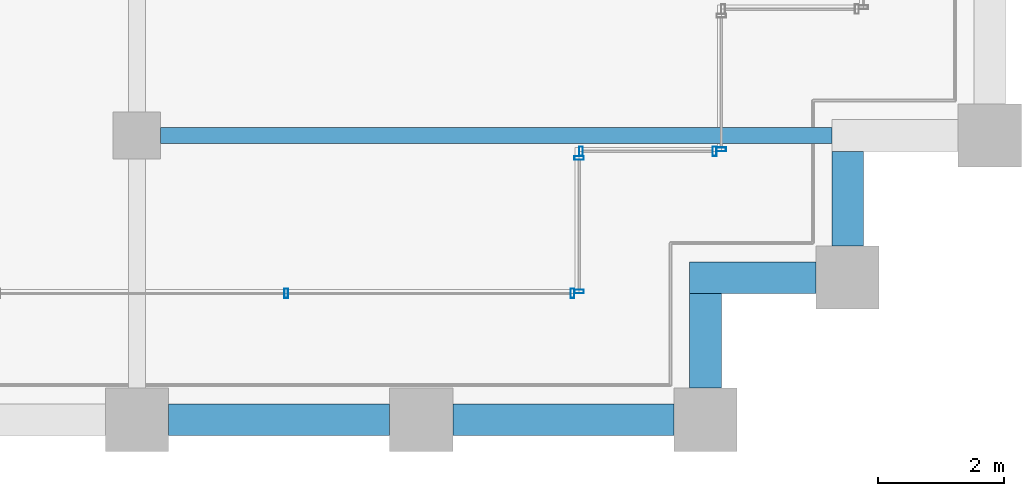
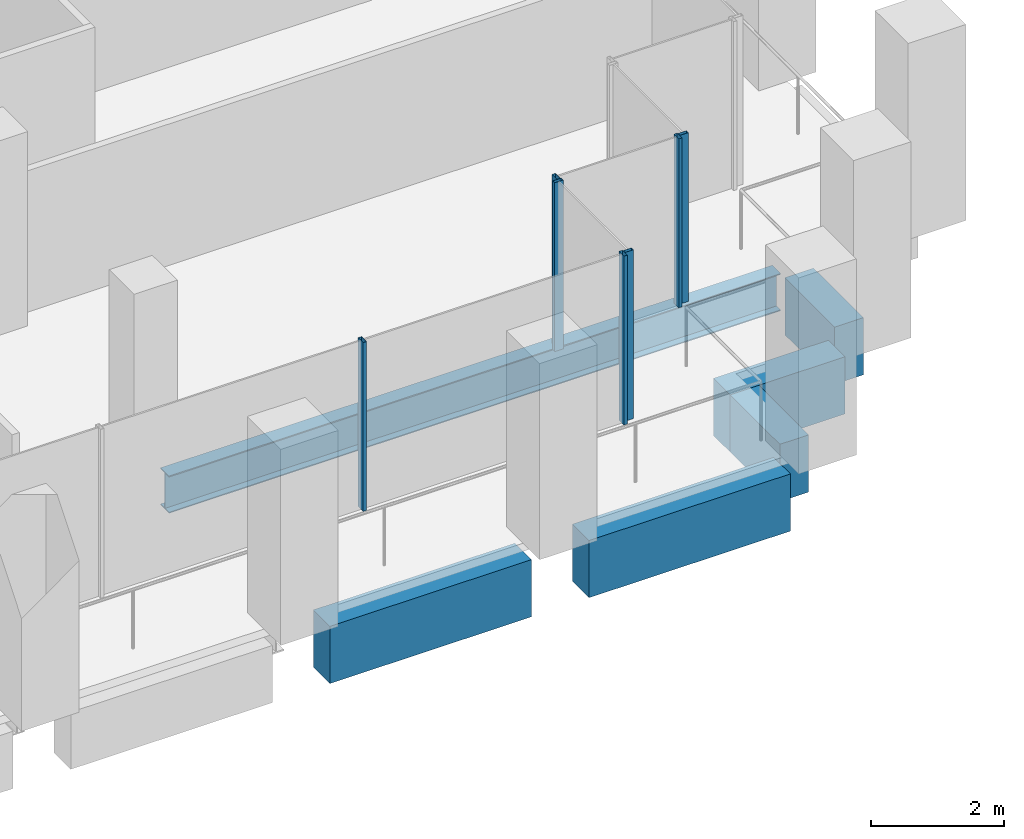
# One storey, part 12 of 46: 7 members, 6 beams, 4 elements without a shape of their own.
"""IFC4 building model written with IfcOpenShell, lengths in metres."""

from ifc_helpers import new_model, si_unit, direction, frame, origin, origin_2d, place, context, subcontext, project, spatial, rectangle, hollow_rectangle, i_section, extrude, material, material_profile, profile_set, type_object, element, aggregate, save


model = new_model("IFC4")

# Units and contexts
model_context = context("Model", 3, precision=1e-05, world=origin(), true_north=direction((0.0, 1.0)))
body_context = subcontext(model_context, "Body", "Model", "MODEL_VIEW")
ifc_project = project(units=[si_unit("LENGTHUNIT", "METRE"), si_unit("AREAUNIT", "SQUARE_METRE"), si_unit("VOLUMEUNIT", "CUBIC_METRE"), si_unit("PLANEANGLEUNIT", "RADIAN"), si_unit("MASSUNIT", "GRAM", prefix="KILO")], contexts=[model_context])

# Site, building, storey
site_placement = place(None, origin())
site = spatial("IfcSite", under=ifc_project, at=site_placement, CompositionType="ELEMENT")
building_placement = place(site_placement, origin())
building = spatial("IfcBuilding", under=site, at=building_placement, Name="Altepetl Exchange Towers", CompositionType="ELEMENT")
storey_placement = place(building_placement, frame((0.0, 0.0, 135.199951171875)))
storey = spatial("IfcBuildingStorey", under=building, at=storey_placement, Name="L33", CompositionType="ELEMENT", Elevation=135.199951171875)

# Beam
ifc_material_1 = material(Name="Steel S355", Category="steel")
ifc_material_profile_1 = material_profile(ifc_material_1, i_section(OverallWidth=0.25390625, OverallDepth=0.68408203125, WebThickness=0.012451171875, FlangeThickness=0.018798828125, at=origin_2d()), Name="W27X94")
ifc_profile_set_1 = profile_set([ifc_material_profile_1], Name="Steel S355")
beam_type_1 = type_object("IfcBeamType", Name="Floor beam W27X94", PredefinedType="BEAM", material=ifc_profile_set_1)
beam_1_placement = place(storey_placement, frame((58.875, 31.5, -0.491943359375), z_axis=(1.0, 0.0, 0.0), x_axis=(0.0, 1.0, 0.0)))
element("IfcBeam", 1, at=beam_1_placement, inside=storey, type_object=beam_type_1, Name="bm:A:L33:006", PredefinedType="BEAM", context=body_context, shape_type="SweptSolid", body=[
    extrude(i_section(OverallWidth=0.25390625, OverallDepth=0.68408203125, WebThickness=0.012451171875, FlangeThickness=0.018798828125, at=origin_2d()), origin(), (0.0, 0.0, 1.0), 10.625),
])

# Curtain wall, members
ifc_material_2 = material(Name="Aluminium 6063-T6 glazing", Category="aluminium")
curtain_wall_type = type_object("IfcCurtainWallType", Name="Loggia glazing system", PredefinedType="NOTDEFINED", material=ifc_material_2)
curtain_wall_1_placement = place(storey_placement, origin())
curtain_wall_1 = element("IfcCurtainWall", 2, at=curtain_wall_1_placement, inside=storey, type_object=curtain_wall_type, Name="CW1 run", PredefinedType="NOTDEFINED")
ifc_material_3 = material(Name="Aluminium 6063-T6", Category="aluminium")
ifc_material_profile_2 = material_profile(ifc_material_3, hollow_rectangle(XDim=0.06005859375, YDim=0.14990234375, WallThickness=0.0029296875, at=origin_2d()), Name="Mullion 60x150 aluminium")
ifc_profile_set_2 = profile_set([ifc_material_profile_2], Name="Aluminium 6063-T6")
member_type = type_object("IfcMemberType", Name="Mullion 60x150 aluminium", PredefinedType="MULLION", material=ifc_profile_set_2)
member_1_placement = place(storey_placement, frame((60.8642578125, 29.0, 0.0)))
member_1 = element("IfcMember", 3, at=member_1_placement, type_object=member_type, Name="MU1 mullion", PredefinedType="MULLION", context=body_context, shape_type="SweptSolid", body=[
    extrude(hollow_rectangle(XDim=0.06005859375, YDim=0.14990234375, WallThickness=0.0029296875, at=origin_2d()), origin(), (0.0, 0.0, 1.0), 3.10009765625),
])
member_2_placement = place(storey_placement, frame((65.39501953125, 29.0, 0.0)))
member_2 = element("IfcMember", 4, at=member_2_placement, type_object=member_type, Name="MU1 mullion", PredefinedType="MULLION", context=body_context, shape_type="SweptSolid", body=[
    extrude(hollow_rectangle(XDim=0.06005859375, YDim=0.14990234375, WallThickness=0.0029296875, at=origin_2d()), origin(), (0.0, 0.0, 1.0), 3.10009765625),
])
aggregate(curtain_wall_1, [member_1, member_2])

curtain_wall_2_placement = place(storey_placement, origin())
curtain_wall_2 = element("IfcCurtainWall", 5, at=curtain_wall_2_placement, inside=storey, type_object=curtain_wall_type, Name="CW1 run", PredefinedType="NOTDEFINED")
member_3_placement = place(storey_placement, frame((65.5, 29.030029296875, 0.0), z_axis=(0.0, 0.0, 1.0), x_axis=(0.0, 1.0, 0.0)))
member_3 = element("IfcMember", 6, at=member_3_placement, type_object=member_type, Name="MU1 mullion", PredefinedType="MULLION", context=body_context, shape_type="SweptSolid", body=[
    extrude(hollow_rectangle(XDim=0.06005859375, YDim=0.14990234375, WallThickness=0.0029296875, at=origin_2d()), origin(), (0.0, 0.0, 1.0), 3.10009765625),
])
member_4_placement = place(storey_placement, frame((65.5, 31.14501953125, 0.0), z_axis=(0.0, 0.0, 1.0), x_axis=(0.0, 1.0, 0.0)))
member_4 = element("IfcMember", 7, at=member_4_placement, type_object=member_type, Name="MU1 mullion", PredefinedType="MULLION", context=body_context, shape_type="SweptSolid", body=[
    extrude(hollow_rectangle(XDim=0.06005859375, YDim=0.14990234375, WallThickness=0.0029296875, at=origin_2d()), origin(), (0.0, 0.0, 1.0), 3.10009765625),
])
aggregate(curtain_wall_2, [member_3, member_4])

curtain_wall_3_placement = place(storey_placement, origin())
curtain_wall_3 = element("IfcCurtainWall", 8, at=curtain_wall_3_placement, inside=storey, type_object=curtain_wall_type, Name="CW1 run", PredefinedType="NOTDEFINED")
member_5_placement = place(storey_placement, frame((65.530029296875, 31.25, 0.0)))
member_5 = element("IfcMember", 9, at=member_5_placement, type_object=member_type, Name="MU1 mullion", PredefinedType="MULLION", context=body_context, shape_type="SweptSolid", body=[
    extrude(hollow_rectangle(XDim=0.06005859375, YDim=0.14990234375, WallThickness=0.0029296875, at=origin_2d()), origin(), (0.0, 0.0, 1.0), 3.10009765625),
])
member_6_placement = place(storey_placement, frame((67.64501953125, 31.25, 0.0)))
member_6 = element("IfcMember", 10, at=member_6_placement, type_object=member_type, Name="MU1 mullion", PredefinedType="MULLION", context=body_context, shape_type="SweptSolid", body=[
    extrude(hollow_rectangle(XDim=0.06005859375, YDim=0.14990234375, WallThickness=0.0029296875, at=origin_2d()), origin(), (0.0, 0.0, 1.0), 3.10009765625),
])
aggregate(curtain_wall_3, [member_5, member_6])

# Curtain wall, member
curtain_wall_4_placement = place(storey_placement, origin())
curtain_wall_4 = element("IfcCurtainWall", 11, at=curtain_wall_4_placement, inside=storey, type_object=curtain_wall_type, Name="CW1 run", PredefinedType="NOTDEFINED")
member_7_placement = place(storey_placement, frame((67.75, 31.280029296875, 0.0), z_axis=(0.0, 0.0, 1.0), x_axis=(0.0, 1.0, 0.0)))
member_7 = element("IfcMember", 12, at=member_7_placement, type_object=member_type, Name="MU1 mullion", PredefinedType="MULLION", context=body_context, shape_type="SweptSolid", body=[
    extrude(hollow_rectangle(XDim=0.06005859375, YDim=0.14990234375, WallThickness=0.0029296875, at=origin_2d()), origin(), (0.0, 0.0, 1.0), 3.10009765625),
])
aggregate(curtain_wall_4, [member_7])

# Beams
ifc_material_4 = material(Name="Concrete C50/60 precast with cantera amarilla facing", Category="concrete")
ifc_material_profile_3 = material_profile(ifc_material_4, rectangle(XDim=0.5, YDim=1.050048828125, at=origin_2d()), Name="500 x 1050")
ifc_profile_set_3 = profile_set([ifc_material_profile_3], Name="Concrete C50/60 precast with cantera amarilla facing")
beam_type_2 = type_object("IfcBeamType", Name="Spandrel beam 500x1050 cantera amarilla", PredefinedType="SPANDREL", material=ifc_profile_set_3)
for number, where, z_axis, x_axis, name in (
    (13, (59.0, 27.0, -0.675048828125), (1.0, 0.0, 0.0), (0.0, 1.0, 0.0), "sp:A:L33:006"),
    (14, (63.5, 27.0, -0.675048828125), (1.0, 0.0, 0.0), (0.0, 1.0, 0.0), "sp:A:L33:007"),
):
    element("IfcBeam", number, at=place(storey_placement, frame(where, z_axis=z_axis, x_axis=x_axis)), inside=storey, type_object=beam_type_2, Name=name, PredefinedType="SPANDREL", context=body_context, shape_type="SweptSolid", body=[
        extrude(rectangle(XDim=0.5, YDim=1.050048828125, at=origin_2d()), origin(), (0.0, 0.0, 1.0), 3.5),
    ])
beam_2_placement = place(storey_placement, frame((67.5, 27.5, -0.675048828125), z_axis=(0.0, 1.0, 0.0), x_axis=(-1.0, 0.0, 0.0)))
element("IfcBeam", 15, at=beam_2_placement, inside=storey, type_object=beam_type_2, Name="sp:A:L33:008", PredefinedType="SPANDREL", context=body_context, shape_type="SweptSolid", body=[
    extrude(rectangle(XDim=0.5, YDim=1.050048828125, at=origin_2d()), origin(), (0.0, 0.0, 1.0), 1.5),
])
beam_3_placement = place(storey_placement, frame((67.25, 29.25, -0.675048828125), z_axis=(1.0, 0.0, 0.0), x_axis=(0.0, 1.0, 0.0)))
element("IfcBeam", 16, at=beam_3_placement, inside=storey, type_object=beam_type_2, Name="sp:A:L33:009", PredefinedType="SPANDREL", context=body_context, shape_type="SweptSolid", body=[
    extrude(rectangle(XDim=0.5, YDim=1.050048828125, at=origin_2d()), origin(), (0.0, 0.0, 1.0), 2.0),
])
beam_4_placement = place(storey_placement, frame((69.75, 29.75, -0.675048828125), z_axis=(0.0, 1.0, 0.0), x_axis=(-1.0, 0.0, 0.0)))
element("IfcBeam", 17, at=beam_4_placement, inside=storey, type_object=beam_type_2, Name="sp:A:L33:010", PredefinedType="SPANDREL", context=body_context, shape_type="SweptSolid", body=[
    extrude(rectangle(XDim=0.5, YDim=1.050048828125, at=origin_2d()), origin(), (0.0, 0.0, 1.0), 1.5),
])

save(model, "model.ifc")
